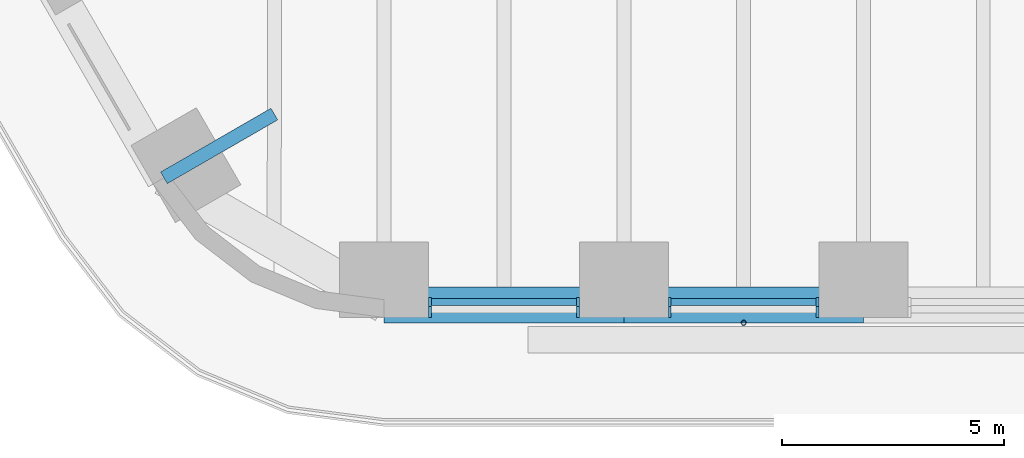
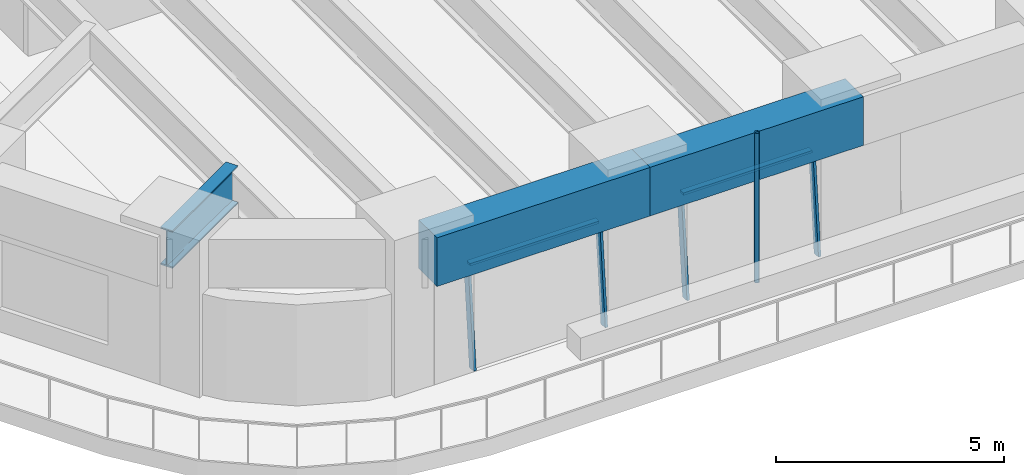
# One storey, part 2 of 24: 7 members, 3 beams, 2 elements without a shape of their own.
"""IFC4 building model written with IfcOpenShell, lengths in metres."""

from ifc_helpers import new_model, si_unit, direction, frame, origin, origin_2d, place, context, subcontext, project, spatial, rectangle, hollow_circle, i_section, extrude, material, material_profile, profile_set, type_object, element, aggregate, save


model = new_model("IFC4")

# Units and contexts
model_context = context("Model", 3, precision=1e-05, world=origin(), true_north=direction((0.0, 1.0)))
body_context = subcontext(model_context, "Body", "Model", "MODEL_VIEW")
ifc_project = project(units=[si_unit("LENGTHUNIT", "METRE"), si_unit("AREAUNIT", "SQUARE_METRE"), si_unit("VOLUMEUNIT", "CUBIC_METRE"), si_unit("PLANEANGLEUNIT", "RADIAN"), si_unit("MASSUNIT", "GRAM", prefix="KILO")], contexts=[model_context])

# Site, building, storey
site_placement = place(None, origin())
site = spatial("IfcSite", under=ifc_project, at=site_placement, CompositionType="ELEMENT")
building_placement = place(site_placement, origin())
building = spatial("IfcBuilding", under=site, at=building_placement, Name="Tarfa Lantern Tower", CompositionType="ELEMENT")
storey_placement = place(building_placement, frame((0.0, 0.0, 69.699951171875)))
storey = spatial("IfcBuildingStorey", under=building, at=storey_placement, Name="L15", CompositionType="ELEMENT", Elevation=69.699951171875)

# Curtain wall, members
ifc_material_1 = material(Name="Aluminium framed curtain wall", Category="aluminium")
curtain_wall_type = type_object("IfcCurtainWallType", Name="CW1 CANTED GLAZING LOW ZONE 2700", PredefinedType="USERDEFINED", material=ifc_material_1)
curtain_wall_1_placement = place(storey_placement, origin())
curtain_wall_1 = element("IfcCurtainWall", 1, at=curtain_wall_1_placement, inside=storey, type_object=curtain_wall_type, Name="CW1 S L15", ObjectType="CURTAIN WALL", PredefinedType="USERDEFINED")
ifc_material_2 = material(Name="Aluminium mullion", Category="aluminium")
ifc_material_profile_1 = material_profile(ifc_material_2, rectangle(XDim=0.06494140625, YDim=0.199951171875, at=origin_2d()), Name="AL MULLION 65x200")
ifc_profile_set_1 = profile_set([ifc_material_profile_1], Name="Aluminium mullion")
member_type_1 = type_object("IfcMemberType", Name="CWM1 MULLION 65x200", PredefinedType="MULLION", material=ifc_profile_set_1)
member_1_placement = place(storey_placement, frame((-15.13330078125, -33.89990234375, 0.0), z_axis=(0.0, 0.092199863775, 0.995740520979), x_axis=(-1.0, 0.0, 0.0)))
member_1 = element("IfcMember", 2, at=member_1_placement, type_object=member_type_1, Name="CW1 mullion 1", PredefinedType="MULLION", context=body_context, shape_type="SweptSolid", body=[
    extrude(rectangle(XDim=0.06494140625, YDim=0.199951171875, at=origin_2d()), origin(), (0.0, 0.0, 1.0), 2.71142578125),
])
member_2_placement = place(storey_placement, frame((-11.809814453125, -33.89990234375, 0.0), z_axis=(0.0, 0.092199863775, 0.995740520979), x_axis=(-1.0, 0.0, 0.0)))
member_2 = element("IfcMember", 3, at=member_2_placement, type_object=member_type_1, Name="CW1 mullion 2", PredefinedType="MULLION", context=body_context, shape_type="SweptSolid", body=[
    extrude(rectangle(XDim=0.06494140625, YDim=0.199951171875, at=origin_2d()), origin(), (0.0, 0.0, 1.0), 2.71142578125),
])

curtain_wall_2_placement = place(storey_placement, origin())
curtain_wall_2 = element("IfcCurtainWall", 4, at=curtain_wall_2_placement, inside=storey, type_object=curtain_wall_type, Name="CW1 S L15", ObjectType="CURTAIN WALL", PredefinedType="USERDEFINED")
member_3_placement = place(storey_placement, frame((-9.74462890625, -33.89990234375, 0.0), z_axis=(0.0, 0.092199863775, 0.995740520979), x_axis=(-1.0, 0.0, 0.0)))
member_3 = element("IfcMember", 5, at=member_3_placement, type_object=member_type_1, Name="CW1 mullion 1", PredefinedType="MULLION", context=body_context, shape_type="SweptSolid", body=[
    extrude(rectangle(XDim=0.06494140625, YDim=0.199951171875, at=origin_2d()), origin(), (0.0, 0.0, 1.0), 2.71142578125),
])
member_4_placement = place(storey_placement, frame((-6.421142578125, -33.89990234375, 0.0), z_axis=(0.0, 0.092199863775, 0.995740520979), x_axis=(-1.0, 0.0, 0.0)))
member_4 = element("IfcMember", 6, at=member_4_placement, type_object=member_type_1, Name="CW1 mullion 2", PredefinedType="MULLION", context=body_context, shape_type="SweptSolid", body=[
    extrude(rectangle(XDim=0.06494140625, YDim=0.199951171875, at=origin_2d()), origin(), (0.0, 0.0, 1.0), 2.71142578125),
])

# Member
ifc_material_3 = material(Name="Aluminium transom", Category="aluminium")
ifc_material_profile_2 = material_profile(ifc_material_3, rectangle(XDim=0.14990234375, YDim=0.06494140625, at=origin_2d()), Name="AL TRANSOM 150x65")
ifc_profile_set_2 = profile_set([ifc_material_profile_2], Name="Aluminium transom")
member_type_2 = type_object("IfcMemberType", Name="CWT1 TRANSOM 150x65", PredefinedType="USERDEFINED", material=ifc_profile_set_2)
member_5_placement = place(storey_placement, frame((-15.100830078125, -33.653076171875, 2.66748046875), z_axis=(1.0, 0.0, 0.0), x_axis=(0.0, 1.0, 0.0)))
member_5 = element("IfcMember", 7, at=member_5_placement, type_object=member_type_2, Name="CW1 transom 1.2", ObjectType="TRANSOM", PredefinedType="USERDEFINED", context=body_context, shape_type="SweptSolid", body=[
    extrude(rectangle(XDim=0.14990234375, YDim=0.06494140625, at=origin_2d()), origin(), (0.0, 0.0, 1.0), 3.258544921875),
])

aggregate(curtain_wall_1, [member_1, member_2, member_5])

member_6_placement = place(storey_placement, frame((-9.712158203125, -33.653076171875, 2.66748046875), z_axis=(1.0, 0.0, 0.0), x_axis=(0.0, 1.0, 0.0)))
member_6 = element("IfcMember", 8, at=member_6_placement, type_object=member_type_2, Name="CW1 transom 1.2", ObjectType="TRANSOM", PredefinedType="USERDEFINED", context=body_context, shape_type="SweptSolid", body=[
    extrude(rectangle(XDim=0.14990234375, YDim=0.06494140625, at=origin_2d()), origin(), (0.0, 0.0, 1.0), 3.258544921875),
])

aggregate(curtain_wall_2, [member_3, member_4, member_6])

# Beams
ifc_material_4 = material(Name="Concrete C80/95", Category="concrete")
ifc_material_profile_3 = material_profile(ifc_material_4, rectangle(XDim=0.800048828125, YDim=1.300048828125, at=origin_2d()), Name="RC 800x1300")
ifc_profile_set_3 = profile_set([ifc_material_profile_3], Name="Concrete C80/95")
beam_type_1 = type_object("IfcBeamType", Name="EB1 RC 800x1300", PredefinedType="SPANDREL", material=ifc_profile_set_3)
beam_1_placement = place(storey_placement, frame((-16.165771484375, -33.719970703125, 3.35009765625), z_axis=(1.0, 0.0, 0.0), x_axis=(0.0, 1.0, 0.0)))
element("IfcBeam", 9, at=beam_1_placement, inside=storey, type_object=beam_type_1, Name="Edge beam S0", PredefinedType="SPANDREL", context=body_context, shape_type="SweptSolid", body=[
    extrude(rectangle(XDim=0.800048828125, YDim=1.300048828125, at=origin_2d()), origin(), (0.0, 0.0, 1.0), 5.388671875),
])
beam_2_placement = place(storey_placement, frame((-10.777099609375, -33.719970703125, 3.35009765625), z_axis=(1.0, 0.0, 0.0), x_axis=(0.0, 1.0, 0.0)))
element("IfcBeam", 10, at=beam_2_placement, inside=storey, type_object=beam_type_1, Name="Edge beam S1", PredefinedType="SPANDREL", context=body_context, shape_type="SweptSolid", body=[
    extrude(rectangle(XDim=0.800048828125, YDim=1.300048828125, at=origin_2d()), origin(), (0.0, 0.0, 1.0), 5.388427734375),
])

# Member
ifc_material_5 = material(Name="Steel S355", Category="steel")
ifc_material_profile_4 = material_profile(ifc_material_5, hollow_circle(Radius=0.05712890625, WallThickness=0.00634765625, at=origin_2d()), Name="CHS114.3x6.3")
ifc_profile_set_4 = profile_set([ifc_material_profile_4], Name="Steel S355")
member_type_3 = type_object("IfcMemberType", Name="TR1 GREEN WALL TRELLIS CHS114.3x6.3", PredefinedType="USERDEFINED", material=ifc_profile_set_4)
member_7_placement = place(storey_placement, frame((-8.0830078125, -34.1201171875, 0.0), z_axis=(0.0, 0.0, 1.0), x_axis=(1.0, 0.0, 0.0)))
element("IfcMember", 11, at=member_7_placement, inside=storey, type_object=member_type_3, Name="Trellis post S 1", ObjectType="TRELLIS", PredefinedType="USERDEFINED", context=body_context, shape_type="SweptSolid", body=[
    extrude(hollow_circle(Radius=0.05712890625, WallThickness=0.00634765625, at=origin_2d()), origin(), (0.0, 0.0, 1.0), 4.0),
])

# Beam
ifc_material_6 = material(Name="Steel S460M", Category="steel")
ifc_material_profile_5 = material_profile(ifc_material_6, i_section(OverallWidth=0.302001953125, OverallDepth=1.008056640625, WebThickness=0.02099609375, FlangeThickness=0.0400390625, FilletRadius=0.030029296875, at=origin_2d()), Name="UB1016x305x349")
ifc_profile_set_5 = profile_set([ifc_material_profile_5], Name="Steel S460M")
beam_type_2 = type_object("IfcBeamType", Name="UB1016x305x349", PredefinedType="BEAM", material=ifc_profile_set_5)
beam_3_placement = place(storey_placement, frame((-21.119384765625, -30.860107421875, 3.49609375), z_axis=(0.866012580594, 0.500022209759, 0.0), x_axis=(-0.500022209759, 0.866012580594, 0.0)))
element("IfcBeam", 12, at=beam_3_placement, inside=storey, type_object=beam_type_2, Name="Floor beam SW6", PredefinedType="BEAM", context=body_context, shape_type="SweptSolid", body=[
    extrude(i_section(OverallWidth=0.302001953125, OverallDepth=1.008056640625, WebThickness=0.02099609375, FlangeThickness=0.0400390625, FilletRadius=0.030029296875, at=origin_2d()), origin(), (0.0, 0.0, 1.0), 2.866943359375),
])

save(model, "model.ifc")
